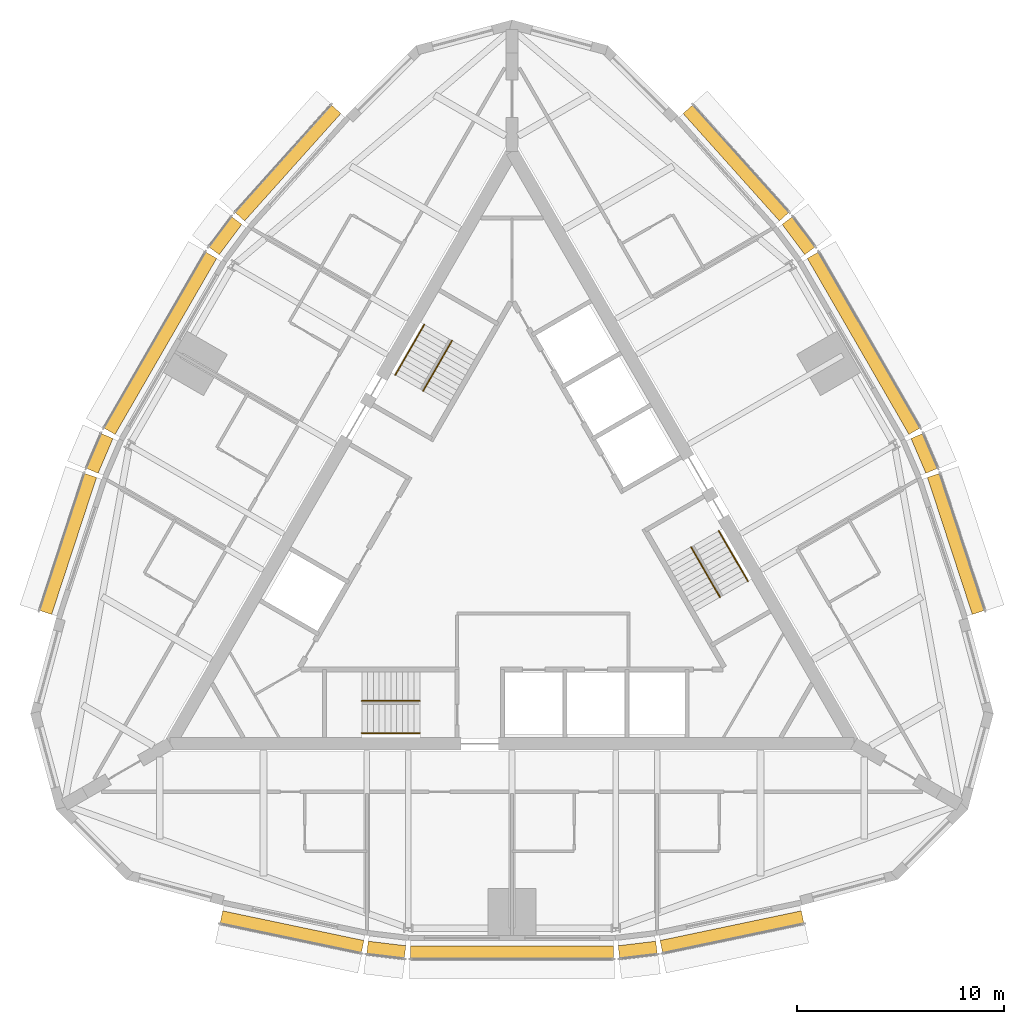
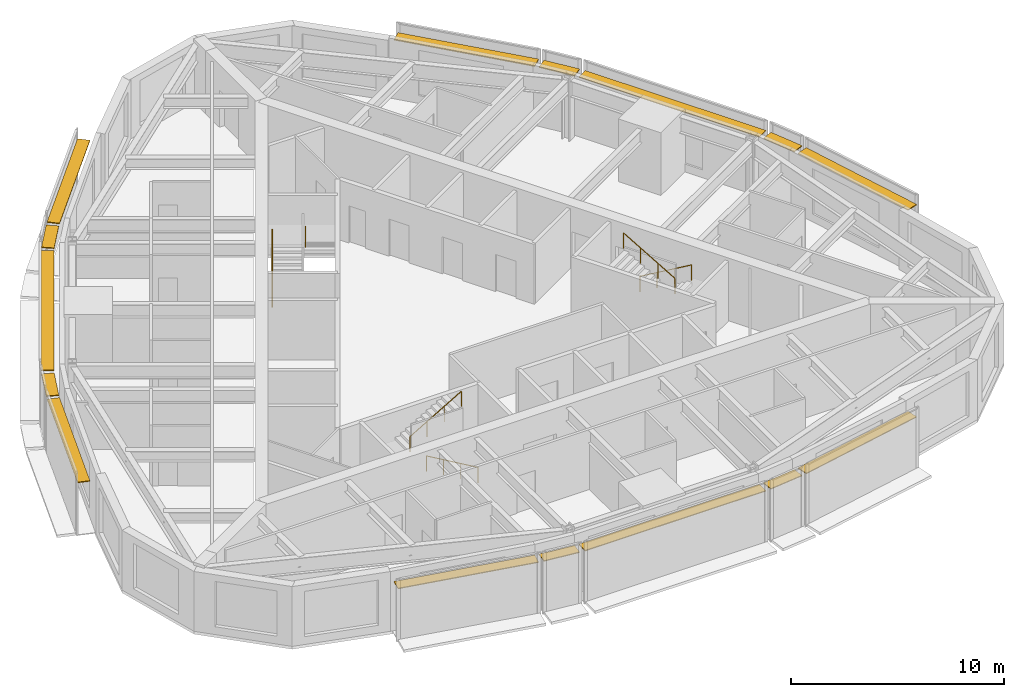
# One storey, part 12 of 12: 15 shading devices, 6 railings.
"""IFC4 building model written with IfcOpenShell, lengths in metres."""

from ifc_helpers import new_model, si_unit, direction, frame, origin, origin_2d, place, context, subcontext, project, spatial, rectangle, circle, extrude, material, type_object, element, save


model = new_model("IFC4")

# Units and contexts
model_context = context("Model", 3, precision=1e-05, world=origin(), true_north=direction((0.0, 1.0)))
body_context = subcontext(model_context, "Body", "Model", "MODEL_VIEW")
ifc_project = project(units=[si_unit("LENGTHUNIT", "METRE"), si_unit("AREAUNIT", "SQUARE_METRE"), si_unit("VOLUMEUNIT", "CUBIC_METRE"), si_unit("PLANEANGLEUNIT", "RADIAN"), si_unit("MASSUNIT", "GRAM", prefix="KILO")], contexts=[model_context])

# Site, building, storey
site_placement = place(None, origin())
site = spatial("IfcSite", under=ifc_project, at=site_placement, CompositionType="ELEMENT")
building_placement = place(site_placement, origin())
building = spatial("IfcBuilding", under=site, at=building_placement, Name="Trikona Tower", CompositionType="ELEMENT")
storey_placement = place(building_placement, frame((0.0, 0.0, 246.5)))
storey = spatial("IfcBuildingStorey", under=building, at=storey_placement, Name="L65", CompositionType="ELEMENT", Elevation=246.5)

# Shading devices
ifc_material_1 = material(Name="Aluminium louvre blade, pale anodised", Category="aluminium")
shading_device_type = type_object("IfcShadingDeviceType", Name="Cavity louvre 600", PredefinedType="USERDEFINED", material=ifc_material_1)
shading_device_1_placement = place(storey_placement, frame((-10.6162109375, -18.6083984375, 2.97509765625), z_axis=(0.0, 0.0, 1.0), x_axis=(0.97865342171, -0.205517590916, 0.0)))
element("IfcShadingDevice", 1, at=shading_device_1_placement, inside=storey, type_object=shading_device_type, Name="Cavity louvre L65-00", ObjectType="LOUVRE", PredefinedType="USERDEFINED", context=body_context, shape_type="SweptSolid", body=[
    extrude(rectangle(XDim=6.962646484375, YDim=0.60009765625, at=origin_2d()), origin(), (0.0, 0.0, 1.0), 0.050048828125),
])
shading_device_2_placement = place(storey_placement, frame((-6.0673828125, -19.471435546875, 2.97509765625), z_axis=(0.0, 0.0, 1.0), x_axis=(0.992876783199, -0.11914568135, 0.0)))
element("IfcShadingDevice", 2, at=shading_device_2_placement, inside=storey, type_object=shading_device_type, Name="Cavity louvre L65-01", ObjectType="LOUVRE", PredefinedType="USERDEFINED", context=body_context, shape_type="SweptSolid", body=[
    extrude(rectangle(XDim=1.82421875, YDim=0.60009765625, at=origin_2d()), origin(), (0.0, 0.0, 1.0), 0.050048828125),
])
shading_device_3_placement = place(storey_placement, frame((0.0, -19.595458984375, 2.97509765625), z_axis=(0.0, 0.0, 1.0), x_axis=(1.0, 0.0, 0.0)))
element("IfcShadingDevice", 3, at=shading_device_3_placement, inside=storey, type_object=shading_device_type, Name="Cavity louvre L65-02", ObjectType="LOUVRE", PredefinedType="USERDEFINED", context=body_context, shape_type="SweptSolid", body=[
    extrude(rectangle(XDim=9.81005859375, YDim=0.60009765625, at=origin_2d()), origin(), (0.0, 0.0, 1.0), 0.050048828125),
])
shading_device_4_placement = place(storey_placement, frame((6.0673828125, -19.471435546875, 2.97509765625), z_axis=(0.0, 0.0, 1.0), x_axis=(0.992876783199, 0.11914568135, 0.0)))
element("IfcShadingDevice", 4, at=shading_device_4_placement, inside=storey, type_object=shading_device_type, Name="Cavity louvre L65-03", ObjectType="LOUVRE", PredefinedType="USERDEFINED", context=body_context, shape_type="SweptSolid", body=[
    extrude(rectangle(XDim=1.82421875, YDim=0.60009765625, at=origin_2d()), origin(), (0.0, 0.0, 1.0), 0.050048828125),
])
for number, where, z_axis, x_axis, name in (
    (5, (10.6162109375, -18.6083984375, 2.97509765625), (0.0, 0.0, 1.0), (0.97865342171, 0.205517590916, 0.0), "Cavity louvre L65-04"),
    (6, (21.423583984375, 0.1103515625, 2.97509765625), (0.0, 0.0, 1.0), (-0.311336621861, 0.950299693722, 0.0), "Cavity louvre L65-09"),
):
    element("IfcShadingDevice", number, at=place(storey_placement, frame(where, z_axis=z_axis, x_axis=x_axis)), inside=storey, type_object=shading_device_type, Name=name, ObjectType="LOUVRE", PredefinedType="USERDEFINED", context=body_context, shape_type="SweptSolid", body=[
        extrude(rectangle(XDim=6.962646484375, YDim=0.60009765625, at=origin_2d()), origin(), (0.0, 0.0, 1.0), 0.050048828125),
    ])
shading_device_5_placement = place(storey_placement, frame((19.896484375, 4.481201171875, 2.97509765625), z_axis=(0.0, 0.0, 1.0), x_axis=(-0.39328408933, 0.919417002823, 0.0)))
element("IfcShadingDevice", 7, at=shading_device_5_placement, inside=storey, type_object=shading_device_type, Name="Cavity louvre L65-10", ObjectType="LOUVRE", PredefinedType="USERDEFINED", context=body_context, shape_type="SweptSolid", body=[
    extrude(rectangle(XDim=1.82421875, YDim=0.60009765625, at=origin_2d()), origin(), (0.0, 0.0, 1.0), 0.050048828125),
])
shading_device_6_placement = place(storey_placement, frame((16.97021484375, 9.797607421875, 2.97509765625), z_axis=(0.0, 0.0, 1.0), x_axis=(-0.4999984885, 0.866026276448, 0.0)))
element("IfcShadingDevice", 8, at=shading_device_6_placement, inside=storey, type_object=shading_device_type, Name="Cavity louvre L65-11", ObjectType="LOUVRE", PredefinedType="USERDEFINED", context=body_context, shape_type="SweptSolid", body=[
    extrude(rectangle(XDim=9.81005859375, YDim=0.60009765625, at=origin_2d()), origin(), (0.0, 0.0, 1.0), 0.050048828125),
])
shading_device_7_placement = place(storey_placement, frame((13.8291015625, 14.990234375, 2.97509765625), z_axis=(0.0, 0.0, 1.0), x_axis=(-0.599618784879, 0.800285769472, 0.0)))
element("IfcShadingDevice", 9, at=shading_device_7_placement, inside=storey, type_object=shading_device_type, Name="Cavity louvre L65-12", ObjectType="LOUVRE", PredefinedType="USERDEFINED", context=body_context, shape_type="SweptSolid", body=[
    extrude(rectangle(XDim=1.82421875, YDim=0.60009765625, at=origin_2d()), origin(), (0.0, 0.0, 1.0), 0.050048828125),
])
for number, where, z_axis, x_axis, name in (
    (10, (10.807373046875, 18.498046875, 2.97509765625), (0.0, 0.0, 1.0), (-0.667311465398, 0.744778764566, 0.0), "Cavity louvre L65-13"),
    (11, (-10.807373046875, 18.498046875, 2.97509765625), (0.0, 0.0, 1.0), (-0.667311465398, -0.744778764566, 0.0), "Cavity louvre L65-18"),
):
    element("IfcShadingDevice", number, at=place(storey_placement, frame(where, z_axis=z_axis, x_axis=x_axis)), inside=storey, type_object=shading_device_type, Name=name, ObjectType="LOUVRE", PredefinedType="USERDEFINED", context=body_context, shape_type="SweptSolid", body=[
        extrude(rectangle(XDim=6.962646484375, YDim=0.60009765625, at=origin_2d()), origin(), (0.0, 0.0, 1.0), 0.050048828125),
    ])
shading_device_8_placement = place(storey_placement, frame((-13.8291015625, 14.990234375, 2.97509765625), z_axis=(0.0, 0.0, 1.0), x_axis=(-0.599618784879, -0.800285769472, 0.0)))
element("IfcShadingDevice", 12, at=shading_device_8_placement, inside=storey, type_object=shading_device_type, Name="Cavity louvre L65-19", ObjectType="LOUVRE", PredefinedType="USERDEFINED", context=body_context, shape_type="SweptSolid", body=[
    extrude(rectangle(XDim=1.82421875, YDim=0.60009765625, at=origin_2d()), origin(), (0.0, 0.0, 1.0), 0.050048828125),
])
shading_device_9_placement = place(storey_placement, frame((-16.97021484375, 9.797607421875, 2.97509765625), z_axis=(0.0, 0.0, 1.0), x_axis=(-0.4999984885, -0.866026276448, 0.0)))
element("IfcShadingDevice", 13, at=shading_device_9_placement, inside=storey, type_object=shading_device_type, Name="Cavity louvre L65-20", ObjectType="LOUVRE", PredefinedType="USERDEFINED", context=body_context, shape_type="SweptSolid", body=[
    extrude(rectangle(XDim=9.81005859375, YDim=0.60009765625, at=origin_2d()), origin(), (0.0, 0.0, 1.0), 0.050048828125),
])
shading_device_10_placement = place(storey_placement, frame((-19.896484375, 4.481201171875, 2.97509765625), z_axis=(0.0, 0.0, 1.0), x_axis=(-0.39328408933, -0.919417002823, 0.0)))
element("IfcShadingDevice", 14, at=shading_device_10_placement, inside=storey, type_object=shading_device_type, Name="Cavity louvre L65-21", ObjectType="LOUVRE", PredefinedType="USERDEFINED", context=body_context, shape_type="SweptSolid", body=[
    extrude(rectangle(XDim=1.82421875, YDim=0.60009765625, at=origin_2d()), origin(), (0.0, 0.0, 1.0), 0.050048828125),
])
shading_device_11_placement = place(storey_placement, frame((-21.423583984375, 0.1103515625, 2.97509765625), z_axis=(0.0, 0.0, 1.0), x_axis=(-0.311336621861, -0.950299693722, 0.0)))
element("IfcShadingDevice", 15, at=shading_device_11_placement, inside=storey, type_object=shading_device_type, Name="Cavity louvre L65-22", ObjectType="LOUVRE", PredefinedType="USERDEFINED", context=body_context, shape_type="SweptSolid", body=[
    extrude(rectangle(XDim=6.962646484375, YDim=0.60009765625, at=origin_2d()), origin(), (0.0, 0.0, 1.0), 0.050048828125),
])

# Railings
ifc_material_2 = material(Name="Stainless steel handrail", Category="steel")
railing_type = type_object("IfcRailingType", Name="Stair handrail", PredefinedType="HANDRAIL", material=ifc_material_2)
railing_1_placement = place(storey_placement, frame((-4.449951171875, -9.016357421875, 0.16357421875)))
element("IfcRailing", 16, at=railing_1_placement, inside=storey, type_object=railing_type, Name="Stair handrail A L65 1", PredefinedType="HANDRAIL", context=body_context, shape_type="SweptSolid", body=[
    extrude(circle(Radius=0.02392578125, at=origin_2d()), frame((0.0, 0.0, 0.8759765625), z_axis=(-0.863360870873, 0.0, 0.504586966384), x_axis=(0.0, -1.0, 0.0)), (0.0, 0.0, 1.0), 3.2431640625),
    extrude(circle(Radius=0.02099609375, at=origin_2d()), origin(), (0.0, 0.0, 1.0), 0.851806640625),
    extrude(circle(Radius=0.02099609375, at=origin_2d()), frame((-0.933349609375, 0.0, 0.54541015625)), (0.0, 0.0, 1.0), 0.851806640625),
    extrude(circle(Radius=0.02099609375, at=origin_2d()), frame((-1.86669921875, 0.0, 1.091064453125)), (0.0, 0.0, 1.0), 0.851806640625),
    extrude(circle(Radius=0.02099609375, at=origin_2d()), frame((-2.800048828125, 0.0, 1.636474609375)), (0.0, 0.0, 1.0), 0.851806640625),
])
railing_2_placement = place(storey_placement, frame((-7.25, -7.46630859375, 1.963623046875)))
element("IfcRailing", 17, at=railing_2_placement, inside=storey, type_object=railing_type, Name="Stair handrail A L65 2", PredefinedType="HANDRAIL", context=body_context, shape_type="SweptSolid", body=[
    extrude(circle(Radius=0.02392578125, at=origin_2d()), frame((0.0, 0.0, 0.8759765625), z_axis=(0.863360870873, 0.0, 0.504586966384), x_axis=(0.0, 1.0, 0.0)), (0.0, 0.0, 1.0), 3.2431640625),
    extrude(circle(Radius=0.02099609375, at=origin_2d()), origin(), (0.0, 0.0, 1.0), 0.851806640625),
    extrude(circle(Radius=0.02099609375, at=origin_2d()), frame((0.933349609375, 0.0, 0.54541015625)), (0.0, 0.0, 1.0), 0.851806640625),
    extrude(circle(Radius=0.02099609375, at=origin_2d()), frame((1.86669921875, 0.0, 1.091064453125)), (0.0, 0.0, 1.0), 0.851806640625),
    extrude(circle(Radius=0.02099609375, at=origin_2d()), frame((2.800048828125, 0.0, 1.636474609375)), (0.0, 0.0, 1.0), 0.851806640625),
])
railing_3_placement = place(storey_placement, frame((9.9833984375, 0.740966796875, 0.16357421875)))
element("IfcRailing", 18, at=railing_3_placement, inside=storey, type_object=railing_type, Name="Stair handrail B L65 1", PredefinedType="HANDRAIL", context=body_context, shape_type="SweptSolid", body=[
    extrude(circle(Radius=0.02392578125, at=origin_2d()), frame((0.0, 0.0, 0.8759765625), z_axis=(0.431636334334, -0.747723004699, 0.504579412111), x_axis=(0.866056369097, 0.49994636267, 0.0)), (0.0, 0.0, 1.0), 3.2431640625),
    extrude(circle(Radius=0.02099609375, at=origin_2d()), origin(), (0.0, 0.0, 1.0), 0.851806640625),
    extrude(circle(Radius=0.02099609375, at=origin_2d()), frame((0.466552734375, -0.808349609375, 0.54541015625)), (0.0, 0.0, 1.0), 0.851806640625),
    extrude(circle(Radius=0.02099609375, at=origin_2d()), frame((0.933349609375, -1.61669921875, 1.091064453125)), (0.0, 0.0, 1.0), 0.851806640625),
    extrude(circle(Radius=0.02099609375, at=origin_2d()), frame((1.39990234375, -2.425048828125, 1.636474609375)), (0.0, 0.0, 1.0), 0.851806640625),
])
railing_4_placement = place(storey_placement, frame((10.041015625, -2.458984375, 1.963623046875)))
element("IfcRailing", 19, at=railing_4_placement, inside=storey, type_object=railing_type, Name="Stair handrail B L65 2", PredefinedType="HANDRAIL", context=body_context, shape_type="SweptSolid", body=[
    extrude(circle(Radius=0.02392578125, at=origin_2d()), frame((0.0, 0.0, 0.8759765625), z_axis=(-0.431636334334, 0.747723004699, 0.504579412111), x_axis=(-0.866056369097, -0.49994636267, 0.0)), (0.0, 0.0, 1.0), 3.2431640625),
    extrude(circle(Radius=0.02099609375, at=origin_2d()), origin(), (0.0, 0.0, 1.0), 0.851806640625),
    extrude(circle(Radius=0.02099609375, at=origin_2d()), frame((-0.466552734375, 0.808349609375, 0.54541015625)), (0.0, 0.0, 1.0), 0.851806640625),
    extrude(circle(Radius=0.02099609375, at=origin_2d()), frame((-0.933349609375, 1.61669921875, 1.091064453125)), (0.0, 0.0, 1.0), 0.851806640625),
    extrude(circle(Radius=0.02099609375, at=origin_2d()), frame((-1.39990234375, 2.425048828125, 1.636474609375)), (0.0, 0.0, 1.0), 0.851806640625),
])
railing_5_placement = place(storey_placement, frame((-5.63330078125, 8.275390625, 0.16357421875)))
element("IfcRailing", 20, at=railing_5_placement, inside=storey, type_object=railing_type, Name="Stair handrail C L65 1", PredefinedType="HANDRAIL", context=body_context, shape_type="SweptSolid", body=[
    extrude(circle(Radius=0.02392578125, at=origin_2d()), frame((0.0, 0.0, 0.8759765625), z_axis=(0.431660630283, 0.747689811644, 0.504607813879), x_axis=(-0.866034573852, 0.49998411664, 0.0)), (0.0, 0.0, 1.0), 3.2431640625),
    extrude(circle(Radius=0.02099609375, at=origin_2d()), origin(), (0.0, 0.0, 1.0), 0.851806640625),
    extrude(circle(Radius=0.02099609375, at=origin_2d()), frame((0.466552734375, 0.808349609375, 0.54541015625)), (0.0, 0.0, 1.0), 0.851806640625),
    extrude(circle(Radius=0.02099609375, at=origin_2d()), frame((0.933349609375, 1.616455078125, 1.091064453125)), (0.0, 0.0, 1.0), 0.851806640625),
    extrude(circle(Radius=0.02099609375, at=origin_2d()), frame((1.39990234375, 2.4248046875, 1.636474609375)), (0.0, 0.0, 1.0), 0.851806640625),
])
railing_6_placement = place(storey_placement, frame((-2.89111328125, 9.92529296875, 1.963623046875)))
element("IfcRailing", 21, at=railing_6_placement, inside=storey, type_object=railing_type, Name="Stair handrail C L65 2", PredefinedType="HANDRAIL", context=body_context, shape_type="SweptSolid", body=[
    extrude(circle(Radius=0.02392578125, at=origin_2d()), frame((0.0, 0.0, 0.8759765625), z_axis=(-0.431636334334, -0.747723004699, 0.504579412111), x_axis=(0.866056369097, -0.49994636267, 0.0)), (0.0, 0.0, 1.0), 3.2431640625),
    extrude(circle(Radius=0.02099609375, at=origin_2d()), origin(), (0.0, 0.0, 1.0), 0.851806640625),
    extrude(circle(Radius=0.02099609375, at=origin_2d()), frame((-0.466552734375, -0.808349609375, 0.54541015625)), (0.0, 0.0, 1.0), 0.851806640625),
    extrude(circle(Radius=0.02099609375, at=origin_2d()), frame((-0.933349609375, -1.61669921875, 1.091064453125)), (0.0, 0.0, 1.0), 0.851806640625),
    extrude(circle(Radius=0.02099609375, at=origin_2d()), frame((-1.39990234375, -2.425048828125, 1.636474609375)), (0.0, 0.0, 1.0), 0.851806640625),
])

save(model, "model.ifc")
